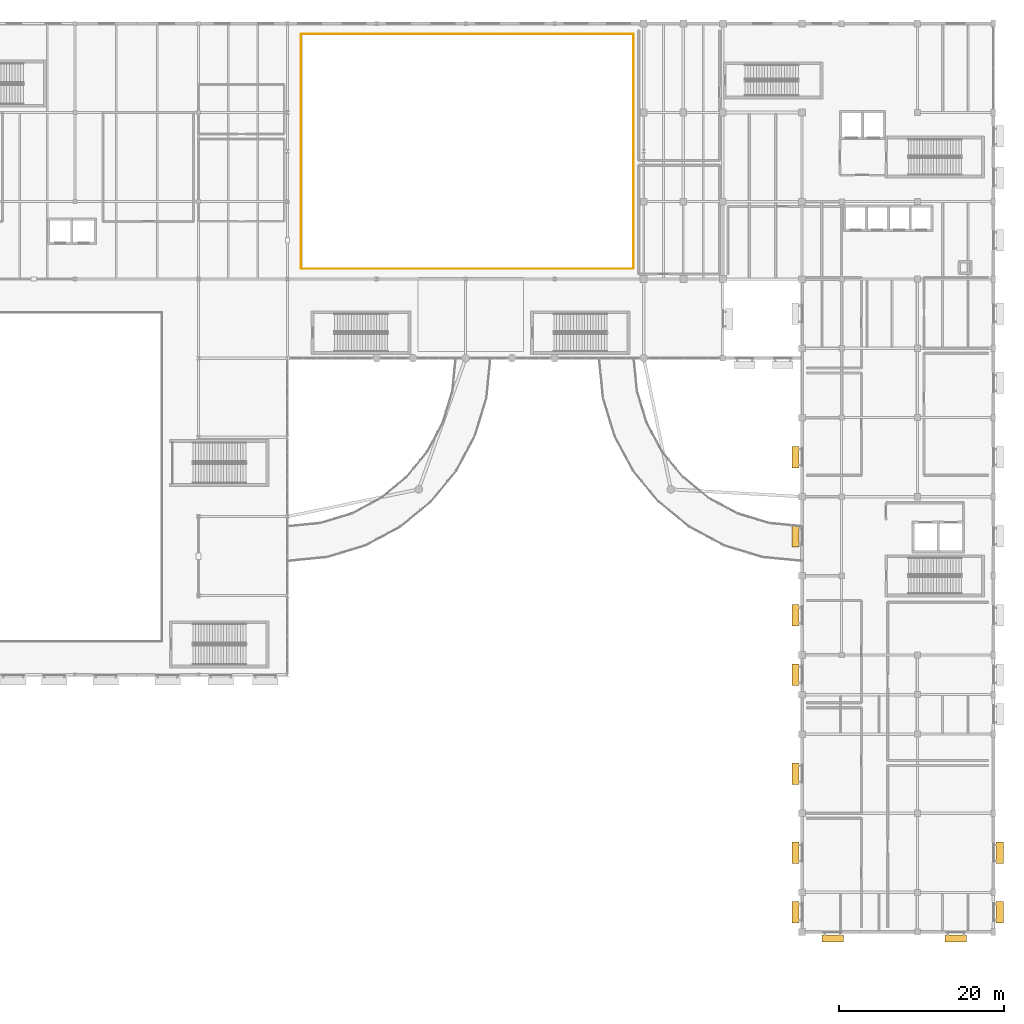
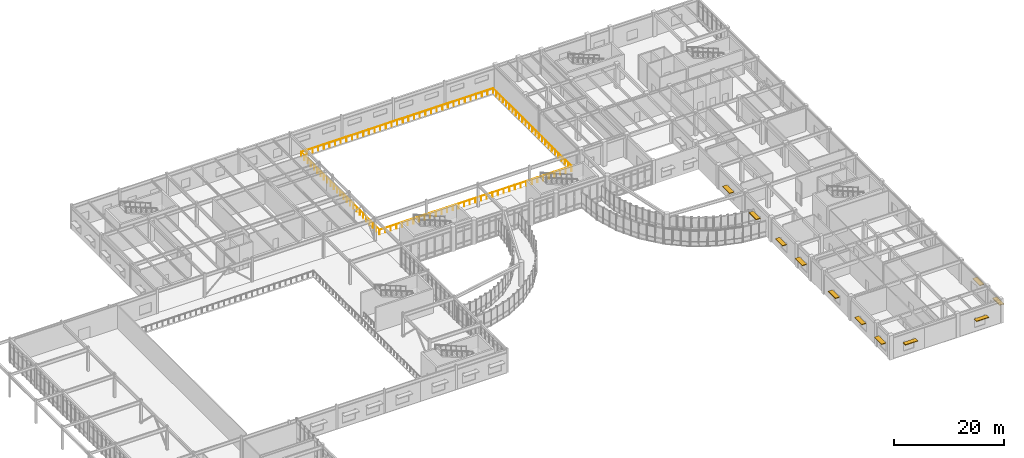
# One storey, part 69 of 72: 11 shading devices, 2 railings.
"""IFC4 building model written with IfcOpenShell, lengths in metres."""

from ifc_helpers import new_model, si_unit, direction, frame, origin, origin_2d, place, context, subcontext, project, spatial, rectangle, circle, extrude, material, type_object, element, save


model = new_model("IFC4")

# Units and contexts
model_context = context("Model", 3, precision=1e-05, world=origin(), true_north=direction((0.0, 1.0)))
body_context = subcontext(model_context, "Body", "Model", "MODEL_VIEW")
ifc_project = project(units=[si_unit("LENGTHUNIT", "METRE"), si_unit("AREAUNIT", "SQUARE_METRE"), si_unit("VOLUMEUNIT", "CUBIC_METRE"), si_unit("PLANEANGLEUNIT", "RADIAN"), si_unit("MASSUNIT", "GRAM", prefix="KILO")], contexts=[model_context])

# Site, building, storey
site_placement = place(None, origin())
site = spatial("IfcSite", under=ifc_project, at=site_placement, CompositionType="ELEMENT")
building_placement = place(site_placement, origin())
building = spatial("IfcBuilding", under=site, at=building_placement, Name="Veldera Park Congress Hotel", CompositionType="ELEMENT")
storey_placement = place(building_placement, frame((0.0, 0.0, 5.39990234375)))
storey = spatial("IfcBuildingStorey", under=building, at=storey_placement, Name="L01", CompositionType="ELEMENT", Elevation=5.39990234375)

# Railings
ifc_material_1 = material(Name="Steel ASTM A992 Gr.50", Category="steel")
railing_type = type_object("IfcRailingType", Name="GRD-INT112", PredefinedType="GUARDRAIL", material=ifc_material_1)
railing_1_placement = place(storey_placement, frame((0.050048828125, 56.7099609375, 0.0)))
element("IfcRailing", 1, at=railing_1_placement, inside=storey, type_object=railing_type, Name="L01 Atrium Void Guard GRD3-VOID-L01-V2-SW", PredefinedType="GUARDRAIL", context=body_context, shape_type="SweptSolid", body=[
    extrude(circle(Radius=0.02392578125, at=origin_2d()), frame((0.0, 0.0, 1.09619140625), z_axis=(0.0, -1.0, 0.0), x_axis=(1.0, 0.0, 0.0)), (0.0, 0.0, 1.0), 28.4599609375),
    extrude(circle(Radius=0.02392578125, at=origin_2d()), frame((0.0, -28.4599609375, 1.09619140625), z_axis=(1.0, 0.0, 0.0), x_axis=(0.0, 1.0, 0.0)), (0.0, 0.0, 1.0), 40.260009765625),
    extrude(circle(Radius=0.02099609375, at=origin_2d()), origin(), (0.0, 0.0, 1.0), 1.072021484375),
    extrude(circle(Radius=0.02099609375, at=origin_2d()), frame((0.0, -1.185791015625, 0.0)), (0.0, 0.0, 1.0), 1.072021484375),
    extrude(circle(Radius=0.02099609375, at=origin_2d()), frame((0.0, -2.37158203125, 0.0)), (0.0, 0.0, 1.0), 1.072021484375),
    extrude(circle(Radius=0.02099609375, at=origin_2d()), frame((0.0, -3.5576171875, 0.0)), (0.0, 0.0, 1.0), 1.072021484375),
    extrude(circle(Radius=0.02099609375, at=origin_2d()), frame((0.0, -4.743408203125, 0.0)), (0.0, 0.0, 1.0), 1.072021484375),
    extrude(circle(Radius=0.02099609375, at=origin_2d()), frame((0.0, -5.92919921875, 0.0)), (0.0, 0.0, 1.0), 1.072021484375),
    extrude(circle(Radius=0.02099609375, at=origin_2d()), frame((0.0, -7.114990234375, 0.0)), (0.0, 0.0, 1.0), 1.072021484375),
    extrude(circle(Radius=0.02099609375, at=origin_2d()), frame((0.0, -8.30078125, 0.0)), (0.0, 0.0, 1.0), 1.072021484375),
    extrude(circle(Radius=0.02099609375, at=origin_2d()), frame((0.0, -9.486572265625, 0.0)), (0.0, 0.0, 1.0), 1.072021484375),
    extrude(circle(Radius=0.02099609375, at=origin_2d()), frame((0.0, -10.67236328125, 0.0)), (0.0, 0.0, 1.0), 1.072021484375),
    extrude(circle(Radius=0.02099609375, at=origin_2d()), frame((0.0, -11.8583984375, 0.0)), (0.0, 0.0, 1.0), 1.072021484375),
    extrude(circle(Radius=0.02099609375, at=origin_2d()), frame((0.0, -13.044189453125, 0.0)), (0.0, 0.0, 1.0), 1.072021484375),
    extrude(circle(Radius=0.02099609375, at=origin_2d()), frame((0.0, -14.22998046875, 0.0)), (0.0, 0.0, 1.0), 1.072021484375),
    extrude(circle(Radius=0.02099609375, at=origin_2d()), frame((0.0, -15.415771484375, 0.0)), (0.0, 0.0, 1.0), 1.072021484375),
    extrude(circle(Radius=0.02099609375, at=origin_2d()), frame((0.0, -16.6015625, 0.0)), (0.0, 0.0, 1.0), 1.072021484375),
    extrude(circle(Radius=0.02099609375, at=origin_2d()), frame((0.0, -17.78759765625, 0.0)), (0.0, 0.0, 1.0), 1.072021484375),
    extrude(circle(Radius=0.02099609375, at=origin_2d()), frame((0.0, -18.973388671875, 0.0)), (0.0, 0.0, 1.0), 1.072021484375),
    extrude(circle(Radius=0.02099609375, at=origin_2d()), frame((0.0, -20.1591796875, 0.0)), (0.0, 0.0, 1.0), 1.072021484375),
    extrude(circle(Radius=0.02099609375, at=origin_2d()), frame((0.0, -21.344970703125, 0.0)), (0.0, 0.0, 1.0), 1.072021484375),
    extrude(circle(Radius=0.02099609375, at=origin_2d()), frame((0.0, -22.53076171875, 0.0)), (0.0, 0.0, 1.0), 1.072021484375),
    extrude(circle(Radius=0.02099609375, at=origin_2d()), frame((0.0, -23.716552734375, 0.0)), (0.0, 0.0, 1.0), 1.072021484375),
    extrude(circle(Radius=0.02099609375, at=origin_2d()), frame((0.0, -24.90234375, 0.0)), (0.0, 0.0, 1.0), 1.072021484375),
    extrude(circle(Radius=0.02099609375, at=origin_2d()), frame((0.0, -26.08837890625, 0.0)), (0.0, 0.0, 1.0), 1.072021484375),
    extrude(circle(Radius=0.02099609375, at=origin_2d()), frame((0.0, -27.274169921875, 0.0)), (0.0, 0.0, 1.0), 1.072021484375),
    extrude(circle(Radius=0.02099609375, at=origin_2d()), frame((0.0, -28.4599609375, 0.0)), (0.0, 0.0, 1.0), 1.072021484375),
    extrude(circle(Radius=0.02099609375, at=origin_2d()), frame((1.18408203125, -28.4599609375, 0.0)), (0.0, 0.0, 1.0), 1.072021484375),
    extrude(circle(Radius=0.02099609375, at=origin_2d()), frame((2.3681640625, -28.4599609375, 0.0)), (0.0, 0.0, 1.0), 1.072021484375),
    extrude(circle(Radius=0.02099609375, at=origin_2d()), frame((3.55224609375, -28.4599609375, 0.0)), (0.0, 0.0, 1.0), 1.072021484375),
    extrude(circle(Radius=0.02099609375, at=origin_2d()), frame((4.736572265625, -28.4599609375, 0.0)), (0.0, 0.0, 1.0), 1.072021484375),
    extrude(circle(Radius=0.02099609375, at=origin_2d()), frame((5.920654296875, -28.4599609375, 0.0)), (0.0, 0.0, 1.0), 1.072021484375),
    extrude(circle(Radius=0.02099609375, at=origin_2d()), frame((7.104736328125, -28.4599609375, 0.0)), (0.0, 0.0, 1.0), 1.072021484375),
    extrude(circle(Radius=0.02099609375, at=origin_2d()), frame((8.288818359375, -28.4599609375, 0.0)), (0.0, 0.0, 1.0), 1.072021484375),
    extrude(circle(Radius=0.02099609375, at=origin_2d()), frame((9.472900390625, -28.4599609375, 0.0)), (0.0, 0.0, 1.0), 1.072021484375),
    extrude(circle(Radius=0.02099609375, at=origin_2d()), frame((10.656982421875, -28.4599609375, 0.0)), (0.0, 0.0, 1.0), 1.072021484375),
    extrude(circle(Radius=0.02099609375, at=origin_2d()), frame((11.841064453125, -28.4599609375, 0.0)), (0.0, 0.0, 1.0), 1.072021484375),
    extrude(circle(Radius=0.02099609375, at=origin_2d()), frame((13.025390625, -28.4599609375, 0.0)), (0.0, 0.0, 1.0), 1.072021484375),
    extrude(circle(Radius=0.02099609375, at=origin_2d()), frame((14.20947265625, -28.4599609375, 0.0)), (0.0, 0.0, 1.0), 1.072021484375),
    extrude(circle(Radius=0.02099609375, at=origin_2d()), frame((15.3935546875, -28.4599609375, 0.0)), (0.0, 0.0, 1.0), 1.072021484375),
    extrude(circle(Radius=0.02099609375, at=origin_2d()), frame((16.57763671875, -28.4599609375, 0.0)), (0.0, 0.0, 1.0), 1.072021484375),
    extrude(circle(Radius=0.02099609375, at=origin_2d()), frame((17.76171875, -28.4599609375, 0.0)), (0.0, 0.0, 1.0), 1.072021484375),
    extrude(circle(Radius=0.02099609375, at=origin_2d()), frame((18.94580078125, -28.4599609375, 0.0)), (0.0, 0.0, 1.0), 1.072021484375),
    extrude(circle(Radius=0.02099609375, at=origin_2d()), frame((20.1298828125, -28.4599609375, 0.0)), (0.0, 0.0, 1.0), 1.072021484375),
    extrude(circle(Radius=0.02099609375, at=origin_2d()), frame((21.314208984375, -28.4599609375, 0.0)), (0.0, 0.0, 1.0), 1.072021484375),
    extrude(circle(Radius=0.02099609375, at=origin_2d()), frame((22.498291015625, -28.4599609375, 0.0)), (0.0, 0.0, 1.0), 1.072021484375),
    extrude(circle(Radius=0.02099609375, at=origin_2d()), frame((23.682373046875, -28.4599609375, 0.0)), (0.0, 0.0, 1.0), 1.072021484375),
    extrude(circle(Radius=0.02099609375, at=origin_2d()), frame((24.866455078125, -28.4599609375, 0.0)), (0.0, 0.0, 1.0), 1.072021484375),
    extrude(circle(Radius=0.02099609375, at=origin_2d()), frame((26.050537109375, -28.4599609375, 0.0)), (0.0, 0.0, 1.0), 1.072021484375),
    extrude(circle(Radius=0.02099609375, at=origin_2d()), frame((27.234619140625, -28.4599609375, 0.0)), (0.0, 0.0, 1.0), 1.072021484375),
    extrude(circle(Radius=0.02099609375, at=origin_2d()), frame((28.4189453125, -28.4599609375, 0.0)), (0.0, 0.0, 1.0), 1.072021484375),
    extrude(circle(Radius=0.02099609375, at=origin_2d()), frame((29.60302734375, -28.4599609375, 0.0)), (0.0, 0.0, 1.0), 1.072021484375),
    extrude(circle(Radius=0.02099609375, at=origin_2d()), frame((30.787109375, -28.4599609375, 0.0)), (0.0, 0.0, 1.0), 1.072021484375),
    extrude(circle(Radius=0.02099609375, at=origin_2d()), frame((31.97119140625, -28.4599609375, 0.0)), (0.0, 0.0, 1.0), 1.072021484375),
    extrude(circle(Radius=0.02099609375, at=origin_2d()), frame((33.1552734375, -28.4599609375, 0.0)), (0.0, 0.0, 1.0), 1.072021484375),
    extrude(circle(Radius=0.02099609375, at=origin_2d()), frame((34.33935546875, -28.4599609375, 0.0)), (0.0, 0.0, 1.0), 1.072021484375),
    extrude(circle(Radius=0.02099609375, at=origin_2d()), frame((35.5234375, -28.4599609375, 0.0)), (0.0, 0.0, 1.0), 1.072021484375),
    extrude(circle(Radius=0.02099609375, at=origin_2d()), frame((36.707763671875, -28.4599609375, 0.0)), (0.0, 0.0, 1.0), 1.072021484375),
    extrude(circle(Radius=0.02099609375, at=origin_2d()), frame((37.891845703125, -28.4599609375, 0.0)), (0.0, 0.0, 1.0), 1.072021484375),
    extrude(circle(Radius=0.02099609375, at=origin_2d()), frame((39.075927734375, -28.4599609375, 0.0)), (0.0, 0.0, 1.0), 1.072021484375),
    extrude(circle(Radius=0.02099609375, at=origin_2d()), frame((40.260009765625, -28.4599609375, 0.0)), (0.0, 0.0, 1.0), 1.072021484375),
])
railing_2_placement = place(storey_placement, frame((40.35009765625, 28.2900390625, 0.0)))
element("IfcRailing", 2, at=railing_2_placement, inside=storey, type_object=railing_type, Name="L01 Atrium Void Guard GRD3-VOID-L01-V2-NE", PredefinedType="GUARDRAIL", context=body_context, shape_type="SweptSolid", body=[
    extrude(circle(Radius=0.02392578125, at=origin_2d()), frame((0.0, 0.0, 1.09619140625), z_axis=(0.0, 1.0, 0.0), x_axis=(-1.0, 0.0, 0.0)), (0.0, 0.0, 1.0), 28.4599609375),
    extrude(circle(Radius=0.02392578125, at=origin_2d()), frame((0.0, 28.4599609375, 1.09619140625), z_axis=(-1.0, 0.0, 0.0), x_axis=(0.0, -1.0, 0.0)), (0.0, 0.0, 1.0), 40.260009765625),
    extrude(circle(Radius=0.02099609375, at=origin_2d()), origin(), (0.0, 0.0, 1.0), 1.072021484375),
    extrude(circle(Radius=0.02099609375, at=origin_2d()), frame((0.0, 1.185791015625, 0.0)), (0.0, 0.0, 1.0), 1.072021484375),
    extrude(circle(Radius=0.02099609375, at=origin_2d()), frame((0.0, 2.37158203125, 0.0)), (0.0, 0.0, 1.0), 1.072021484375),
    extrude(circle(Radius=0.02099609375, at=origin_2d()), frame((0.0, 3.5576171875, 0.0)), (0.0, 0.0, 1.0), 1.072021484375),
    extrude(circle(Radius=0.02099609375, at=origin_2d()), frame((0.0, 4.743408203125, 0.0)), (0.0, 0.0, 1.0), 1.072021484375),
    extrude(circle(Radius=0.02099609375, at=origin_2d()), frame((0.0, 5.92919921875, 0.0)), (0.0, 0.0, 1.0), 1.072021484375),
    extrude(circle(Radius=0.02099609375, at=origin_2d()), frame((0.0, 7.114990234375, 0.0)), (0.0, 0.0, 1.0), 1.072021484375),
    extrude(circle(Radius=0.02099609375, at=origin_2d()), frame((0.0, 8.30078125, 0.0)), (0.0, 0.0, 1.0), 1.072021484375),
    extrude(circle(Radius=0.02099609375, at=origin_2d()), frame((0.0, 9.486572265625, 0.0)), (0.0, 0.0, 1.0), 1.072021484375),
    extrude(circle(Radius=0.02099609375, at=origin_2d()), frame((0.0, 10.67236328125, 0.0)), (0.0, 0.0, 1.0), 1.072021484375),
    extrude(circle(Radius=0.02099609375, at=origin_2d()), frame((0.0, 11.8583984375, 0.0)), (0.0, 0.0, 1.0), 1.072021484375),
    extrude(circle(Radius=0.02099609375, at=origin_2d()), frame((0.0, 13.044189453125, 0.0)), (0.0, 0.0, 1.0), 1.072021484375),
    extrude(circle(Radius=0.02099609375, at=origin_2d()), frame((0.0, 14.22998046875, 0.0)), (0.0, 0.0, 1.0), 1.072021484375),
    extrude(circle(Radius=0.02099609375, at=origin_2d()), frame((0.0, 15.415771484375, 0.0)), (0.0, 0.0, 1.0), 1.072021484375),
    extrude(circle(Radius=0.02099609375, at=origin_2d()), frame((0.0, 16.6015625, 0.0)), (0.0, 0.0, 1.0), 1.072021484375),
    extrude(circle(Radius=0.02099609375, at=origin_2d()), frame((0.0, 17.78759765625, 0.0)), (0.0, 0.0, 1.0), 1.072021484375),
    extrude(circle(Radius=0.02099609375, at=origin_2d()), frame((0.0, 18.973388671875, 0.0)), (0.0, 0.0, 1.0), 1.072021484375),
    extrude(circle(Radius=0.02099609375, at=origin_2d()), frame((0.0, 20.1591796875, 0.0)), (0.0, 0.0, 1.0), 1.072021484375),
    extrude(circle(Radius=0.02099609375, at=origin_2d()), frame((0.0, 21.344970703125, 0.0)), (0.0, 0.0, 1.0), 1.072021484375),
    extrude(circle(Radius=0.02099609375, at=origin_2d()), frame((0.0, 22.53076171875, 0.0)), (0.0, 0.0, 1.0), 1.072021484375),
    extrude(circle(Radius=0.02099609375, at=origin_2d()), frame((0.0, 23.716552734375, 0.0)), (0.0, 0.0, 1.0), 1.072021484375),
    extrude(circle(Radius=0.02099609375, at=origin_2d()), frame((0.0, 24.90234375, 0.0)), (0.0, 0.0, 1.0), 1.072021484375),
    extrude(circle(Radius=0.02099609375, at=origin_2d()), frame((0.0, 26.08837890625, 0.0)), (0.0, 0.0, 1.0), 1.072021484375),
    extrude(circle(Radius=0.02099609375, at=origin_2d()), frame((0.0, 27.274169921875, 0.0)), (0.0, 0.0, 1.0), 1.072021484375),
    extrude(circle(Radius=0.02099609375, at=origin_2d()), frame((0.0, 28.4599609375, 0.0)), (0.0, 0.0, 1.0), 1.072021484375),
    extrude(circle(Radius=0.02099609375, at=origin_2d()), frame((-1.18408203125, 28.4599609375, 0.0)), (0.0, 0.0, 1.0), 1.072021484375),
    extrude(circle(Radius=0.02099609375, at=origin_2d()), frame((-2.3681640625, 28.4599609375, 0.0)), (0.0, 0.0, 1.0), 1.072021484375),
    extrude(circle(Radius=0.02099609375, at=origin_2d()), frame((-3.55224609375, 28.4599609375, 0.0)), (0.0, 0.0, 1.0), 1.072021484375),
    extrude(circle(Radius=0.02099609375, at=origin_2d()), frame((-4.736572265625, 28.4599609375, 0.0)), (0.0, 0.0, 1.0), 1.072021484375),
    extrude(circle(Radius=0.02099609375, at=origin_2d()), frame((-5.920654296875, 28.4599609375, 0.0)), (0.0, 0.0, 1.0), 1.072021484375),
    extrude(circle(Radius=0.02099609375, at=origin_2d()), frame((-7.104736328125, 28.4599609375, 0.0)), (0.0, 0.0, 1.0), 1.072021484375),
    extrude(circle(Radius=0.02099609375, at=origin_2d()), frame((-8.288818359375, 28.4599609375, 0.0)), (0.0, 0.0, 1.0), 1.072021484375),
    extrude(circle(Radius=0.02099609375, at=origin_2d()), frame((-9.472900390625, 28.4599609375, 0.0)), (0.0, 0.0, 1.0), 1.072021484375),
    extrude(circle(Radius=0.02099609375, at=origin_2d()), frame((-10.656982421875, 28.4599609375, 0.0)), (0.0, 0.0, 1.0), 1.072021484375),
    extrude(circle(Radius=0.02099609375, at=origin_2d()), frame((-11.841064453125, 28.4599609375, 0.0)), (0.0, 0.0, 1.0), 1.072021484375),
    extrude(circle(Radius=0.02099609375, at=origin_2d()), frame((-13.025390625, 28.4599609375, 0.0)), (0.0, 0.0, 1.0), 1.072021484375),
    extrude(circle(Radius=0.02099609375, at=origin_2d()), frame((-14.20947265625, 28.4599609375, 0.0)), (0.0, 0.0, 1.0), 1.072021484375),
    extrude(circle(Radius=0.02099609375, at=origin_2d()), frame((-15.3935546875, 28.4599609375, 0.0)), (0.0, 0.0, 1.0), 1.072021484375),
    extrude(circle(Radius=0.02099609375, at=origin_2d()), frame((-16.57763671875, 28.4599609375, 0.0)), (0.0, 0.0, 1.0), 1.072021484375),
    extrude(circle(Radius=0.02099609375, at=origin_2d()), frame((-17.76171875, 28.4599609375, 0.0)), (0.0, 0.0, 1.0), 1.072021484375),
    extrude(circle(Radius=0.02099609375, at=origin_2d()), frame((-18.94580078125, 28.4599609375, 0.0)), (0.0, 0.0, 1.0), 1.072021484375),
    extrude(circle(Radius=0.02099609375, at=origin_2d()), frame((-20.1298828125, 28.4599609375, 0.0)), (0.0, 0.0, 1.0), 1.072021484375),
    extrude(circle(Radius=0.02099609375, at=origin_2d()), frame((-21.314208984375, 28.4599609375, 0.0)), (0.0, 0.0, 1.0), 1.072021484375),
    extrude(circle(Radius=0.02099609375, at=origin_2d()), frame((-22.498291015625, 28.4599609375, 0.0)), (0.0, 0.0, 1.0), 1.072021484375),
    extrude(circle(Radius=0.02099609375, at=origin_2d()), frame((-23.682373046875, 28.4599609375, 0.0)), (0.0, 0.0, 1.0), 1.072021484375),
    extrude(circle(Radius=0.02099609375, at=origin_2d()), frame((-24.866455078125, 28.4599609375, 0.0)), (0.0, 0.0, 1.0), 1.072021484375),
    extrude(circle(Radius=0.02099609375, at=origin_2d()), frame((-26.050537109375, 28.4599609375, 0.0)), (0.0, 0.0, 1.0), 1.072021484375),
    extrude(circle(Radius=0.02099609375, at=origin_2d()), frame((-27.234619140625, 28.4599609375, 0.0)), (0.0, 0.0, 1.0), 1.072021484375),
    extrude(circle(Radius=0.02099609375, at=origin_2d()), frame((-28.4189453125, 28.4599609375, 0.0)), (0.0, 0.0, 1.0), 1.072021484375),
    extrude(circle(Radius=0.02099609375, at=origin_2d()), frame((-29.60302734375, 28.4599609375, 0.0)), (0.0, 0.0, 1.0), 1.072021484375),
    extrude(circle(Radius=0.02099609375, at=origin_2d()), frame((-30.787109375, 28.4599609375, 0.0)), (0.0, 0.0, 1.0), 1.072021484375),
    extrude(circle(Radius=0.02099609375, at=origin_2d()), frame((-31.97119140625, 28.4599609375, 0.0)), (0.0, 0.0, 1.0), 1.072021484375),
    extrude(circle(Radius=0.02099609375, at=origin_2d()), frame((-33.1552734375, 28.4599609375, 0.0)), (0.0, 0.0, 1.0), 1.072021484375),
    extrude(circle(Radius=0.02099609375, at=origin_2d()), frame((-34.33935546875, 28.4599609375, 0.0)), (0.0, 0.0, 1.0), 1.072021484375),
    extrude(circle(Radius=0.02099609375, at=origin_2d()), frame((-35.5234375, 28.4599609375, 0.0)), (0.0, 0.0, 1.0), 1.072021484375),
    extrude(circle(Radius=0.02099609375, at=origin_2d()), frame((-36.707763671875, 28.4599609375, 0.0)), (0.0, 0.0, 1.0), 1.072021484375),
    extrude(circle(Radius=0.02099609375, at=origin_2d()), frame((-37.891845703125, 28.4599609375, 0.0)), (0.0, 0.0, 1.0), 1.072021484375),
    extrude(circle(Radius=0.02099609375, at=origin_2d()), frame((-39.075927734375, 28.4599609375, 0.0)), (0.0, 0.0, 1.0), 1.072021484375),
    extrude(circle(Radius=0.02099609375, at=origin_2d()), frame((-40.260009765625, 28.4599609375, 0.0)), (0.0, 0.0, 1.0), 1.072021484375),
])

# Shading devices
ifc_material_2 = material(Name="Glulam GL28h (NDS 24F-V4)", Category="wood")
shading_device_type = type_object("IfcShadingDeviceType", Name="SHD-SHF450", PredefinedType="AWNING", material=ifc_material_2)
for number, where, z_axis, x_axis, name in (
    (3, (64.506103515625, -52.989990234375, 2.8603515625), (0.0, 0.0, 1.0), (1.0, 0.0, 0.0), "Glulam Solar Shade 101"),
    (4, (79.449951171875, -52.989990234375, 2.8603515625), (0.0, 0.0, 1.0), (1.0, 0.0, 0.0), "Glulam Solar Shade 102"),
    (5, (84.7900390625, -49.800048828125, 2.8603515625), (0.0, 0.0, 1.0), (0.0, 1.0, 0.0), "Glulam Solar Shade 103"),
    (6, (84.7900390625, -42.60009765625, 2.8603515625), (0.0, 0.0, 1.0), (0.0, 1.0, 0.0), "Glulam Solar Shade 104"),
    (7, (60.010009765625, 5.39990234375, 2.8603515625), (0.0, 0.0, 1.0), (0.0, -1.0, 0.0), "Glulam Solar Shade 118"),
    (8, (60.010009765625, -4.199951171875, 2.8603515625), (0.0, 0.0, 1.0), (0.0, -1.0, 0.0), "Glulam Solar Shade 119"),
    (9, (60.010009765625, -13.800048828125, 2.8603515625), (0.0, 0.0, 1.0), (0.0, -1.0, 0.0), "Glulam Solar Shade 120"),
    (10, (60.010009765625, -21.0, 2.8603515625), (0.0, 0.0, 1.0), (0.0, -1.0, 0.0), "Glulam Solar Shade 121"),
    (11, (60.010009765625, -33.0, 2.8603515625), (0.0, 0.0, 1.0), (0.0, -1.0, 0.0), "Glulam Solar Shade 122"),
    (12, (60.010009765625, -42.60009765625, 2.8603515625), (0.0, 0.0, 1.0), (0.0, -1.0, 0.0), "Glulam Solar Shade 123"),
    (13, (60.010009765625, -49.800048828125, 2.8603515625), (0.0, 0.0, 1.0), (0.0, -1.0, 0.0), "Glulam Solar Shade 124"),
):
    element("IfcShadingDevice", number, at=place(storey_placement, frame(where, z_axis=z_axis, x_axis=x_axis)), inside=storey, type_object=shading_device_type, Name=name, PredefinedType="AWNING", context=body_context, shape_type="SweptSolid", body=[
        extrude(rectangle(XDim=2.60009765625, YDim=0.89990234375, at=origin_2d()), origin(), (0.0, 0.0, 1.0), 0.139892578125),
    ])

save(model, "model.ifc")
